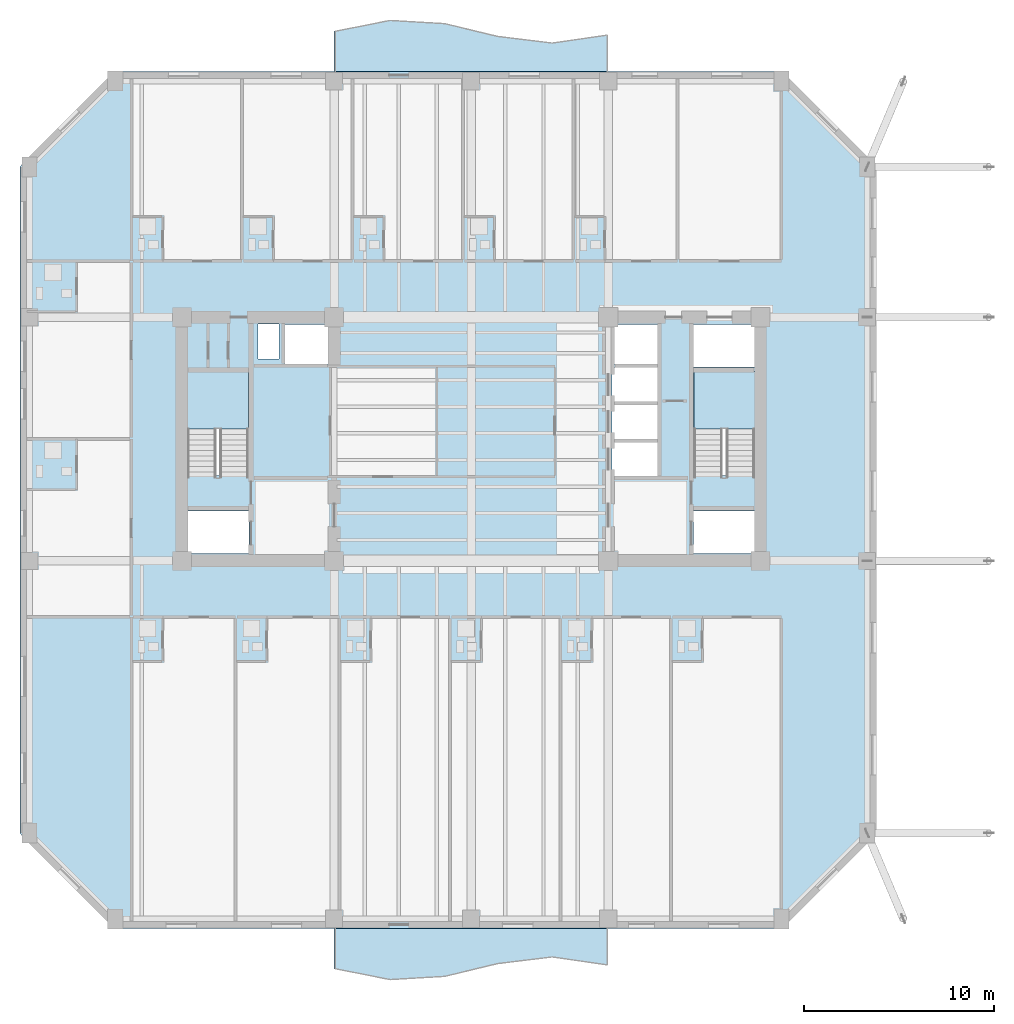
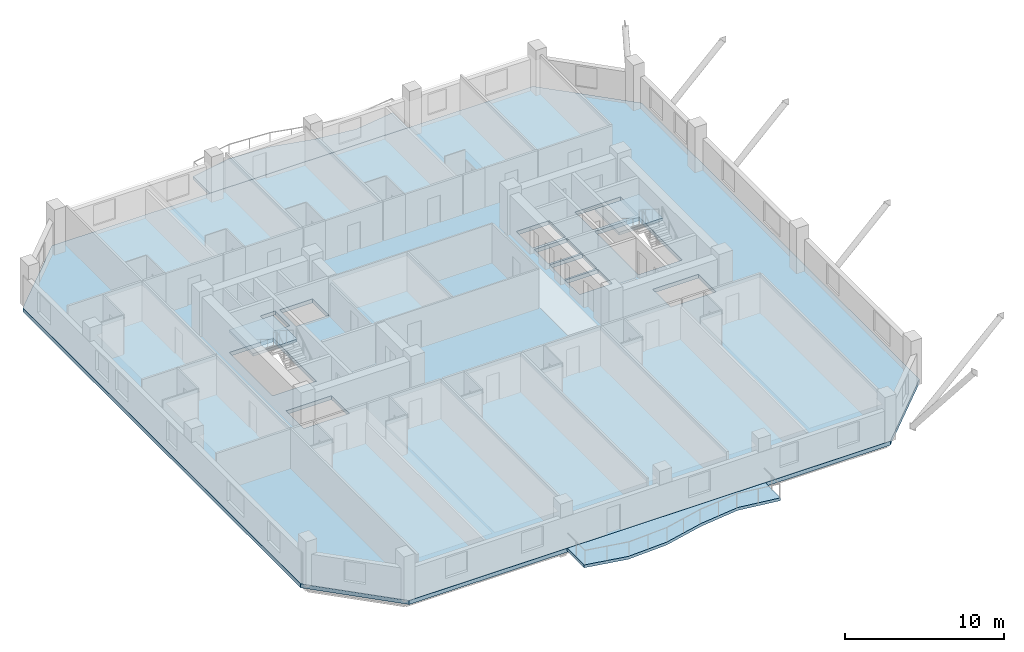
# One storey, part 2 of 14: 5 slabs, 2 elements without a shape of their own.
"""IFC4 building model written with IfcOpenShell, lengths in metres."""

from ifc_helpers import new_model, si_unit, direction, frame, origin, place, context, subcontext, project, spatial, polyline, outline, extrude, material, layer, layer_set, type_object, element, aggregate, save


model = new_model("IFC4")

# Units and contexts
model_context = context("Model", 3, precision=1e-05, world=origin(), true_north=direction((0.0, 1.0)))
body_context = subcontext(model_context, "Body", "Model", "MODEL_VIEW")
ifc_project = project(units=[si_unit("LENGTHUNIT", "METRE"), si_unit("AREAUNIT", "SQUARE_METRE"), si_unit("VOLUMEUNIT", "CUBIC_METRE"), si_unit("PLANEANGLEUNIT", "RADIAN"), si_unit("MASSUNIT", "GRAM", prefix="KILO")], contexts=[model_context])

# Site, building, storey
site_placement = place(None, origin())
site = spatial("IfcSite", under=ifc_project, at=site_placement, CompositionType="ELEMENT")
building_placement = place(site_placement, origin())
building = spatial("IfcBuilding", under=site, at=building_placement, Name="Kranthara Brick Stack", CompositionType="ELEMENT")
storey_placement = place(building_placement, frame((0.0, 0.0, 137.800048828125)))
storey = spatial("IfcBuildingStorey", under=building, at=storey_placement, Name="L34", CompositionType="ELEMENT", Elevation=137.800048828125)

# Slabs
ifc_material_1 = material(Name="Concrete C45/55", Category="concrete")
ifc_layer_1 = layer(ifc_material_1, 0.219970703125)
ifc_layer_set_1 = layer_set([ifc_layer_1], Name="Concrete C45/55")
slab_type_1 = type_object("IfcSlabType", Name="SLB-BALC-220", PredefinedType="FLOOR", material=ifc_layer_set_1)
slab_1_placement = place(storey_placement, frame((0.0, 0.0, -0.219970703125)))
element("IfcSlab", 1, at=slab_1_placement, inside=storey, type_object=slab_type_1, Name="L34 South Rippling Balcony Slab", PredefinedType="FLOOR", context=body_context, shape_type="SweptSolid", body=[
    extrude(outline(polyline([(20.800048828125, 1.5), (35.199951171875, 1.5), (35.199951171875, -0.422119140625), (32.320068359375, -0.000732421875), (29.43994140625, -0.364501953125), (26.56005859375, -1.055908203125), (23.679931640625, -1.205322265625), (20.800048828125, -0.625), (20.800048828125, 1.5)])), origin(), (0.0, 0.0, 1.0), 0.219970703125),
])
slab_2_placement = place(storey_placement, frame((0.0, 0.0, -0.219970703125)))
element("IfcSlab", 2, at=slab_2_placement, inside=storey, type_object=slab_type_1, Name="L34 North Rippling Balcony Slab", PredefinedType="FLOOR", context=body_context, shape_type="SweptSolid", body=[
    extrude(outline(polyline([(35.199951171875, 46.5), (20.800048828125, 46.5), (20.800048828125, 48.625), (23.679931640625, 49.205322265625), (26.56005859375, 49.055908203125), (29.43994140625, 48.364501953125), (32.320068359375, 48.000732421875), (35.199951171875, 48.422119140625), (35.199951171875, 46.5)])), origin(), (0.0, 0.0, 1.0), 0.219970703125),
])

# Stair, slab
ifc_material_2 = material(Name="Concrete C45/55", Category="concrete")
stair_type = type_object("IfcStairType", Name="ST-CORE-20R", PredefinedType="HALF_TURN_STAIR", material=ifc_material_2)
stair_1_placement = place(storey_placement, origin())
stair_1 = element("IfcStair", 3, at=stair_1_placement, inside=storey, type_object=stair_type, Name="L34 West Core Protected Exit Stair ST01", PredefinedType="HALF_TURN_STAIR")
ifc_material_3 = material(Name="Concrete C45/55", Category="concrete")
ifc_layer_2 = layer(ifc_material_3, 0.199951171875)
ifc_layer_set_2 = layer_set([ifc_layer_2], Name="Concrete C45/55")
slab_type_2 = type_object("IfcSlabType", Name="SLB-LANDING-200", PredefinedType="LANDING", material=ifc_layer_set_2)
slab_3_placement = place(storey_placement, frame((0.0, 0.0, 1.550048828125)))
slab_3 = element("IfcSlab", 4, at=slab_3_placement, type_object=slab_type_2, Name="ST01 landing 1", PredefinedType="LANDING", context=body_context, shape_type="SweptSolid", body=[
    extrude(outline(polyline([(16.300048828125, 27.719970703125), (16.300048828125, 30.75), (13.10009765625, 30.75), (13.10009765625, 27.719970703125), (16.300048828125, 27.719970703125)])), origin(), (0.0, 0.0, 1.0), 0.199951171875),
])
aggregate(stair_1, [slab_3])

stair_2_placement = place(storey_placement, origin())
stair_2 = element("IfcStair", 5, at=stair_2_placement, inside=storey, type_object=stair_type, Name="L34 East Core Protected Exit Stair ST02", PredefinedType="HALF_TURN_STAIR")
slab_4_placement = place(storey_placement, frame((0.0, 0.0, 1.550048828125)))
slab_4 = element("IfcSlab", 6, at=slab_4_placement, type_object=slab_type_2, Name="ST02 landing 1", PredefinedType="LANDING", context=body_context, shape_type="SweptSolid", body=[
    extrude(outline(polyline([(42.89990234375, 27.719970703125), (42.89990234375, 30.75), (39.699951171875, 30.75), (39.699951171875, 27.719970703125), (42.89990234375, 27.719970703125)])), origin(), (0.0, 0.0, 1.0), 0.199951171875),
])
aggregate(stair_2, [slab_4])

# Slab
ifc_material_4 = material(Name="Post-tensioned concrete C45/55", Category="concrete")
ifc_layer_3 = layer(ifc_material_4, 0.300048828125)
ifc_layer_set_3 = layer_set([ifc_layer_3], Name="Post-tensioned concrete C45/55")
slab_type_3 = type_object("IfcSlabType", Name="SLB-TWR-300", PredefinedType="FLOOR", material=ifc_layer_set_3)
slab_5_placement = place(storey_placement, frame((0.0, 0.0, -0.300048828125)))
element("IfcSlab", 7, at=slab_5_placement, inside=storey, type_object=slab_type_3, Name="L34 Structural Floor Plate", PredefinedType="FLOOR", context=body_context, shape_type="SweptSolid", body=[
    extrude(outline(polyline([(9.300048828125, 1.5), (44.300048828125, 1.5), (49.300048828125, 6.5), (49.300048828125, 41.5), (44.300048828125, 46.5), (9.300048828125, 46.5), (4.300048828125, 41.5), (4.300048828125, 6.5), (9.300048828125, 1.5)]), holes=[polyline([(13.10009765625, 25.280029296875), (16.300048828125, 25.280029296875), (16.300048828125, 30.75), (13.10009765625, 30.75), (13.10009765625, 25.280029296875)]), polyline([(39.699951171875, 25.280029296875), (42.89990234375, 25.280029296875), (42.89990234375, 30.75), (39.699951171875, 30.75), (39.699951171875, 25.280029296875)]), polyline([(13.0, 21.179931640625), (16.320068359375, 21.179931640625), (16.320068359375, 23.419921875), (13.0, 23.419921875), (13.0, 21.179931640625)]), polyline([(39.679931640625, 21.179931640625), (43.0, 21.179931640625), (43.0, 23.419921875), (39.679931640625, 23.419921875), (39.679931640625, 21.179931640625)]), polyline([(39.679931640625, 30.97998046875), (43.0, 30.97998046875), (43.0, 33.219970703125), (39.679931640625, 33.219970703125), (39.679931640625, 30.97998046875)]), polyline([(35.39990234375, 25.25), (37.800048828125, 25.25), (37.800048828125, 27.050048828125), (35.39990234375, 27.050048828125), (35.39990234375, 25.25)]), polyline([(35.39990234375, 27.199951171875), (37.800048828125, 27.199951171875), (37.800048828125, 29.0), (35.39990234375, 29.0), (35.39990234375, 27.199951171875)]), polyline([(35.39990234375, 29.14990234375), (37.800048828125, 29.14990234375), (37.800048828125, 30.949951171875), (35.39990234375, 30.949951171875), (35.39990234375, 29.14990234375)]), polyline([(18.199951171875, 31.14990234375), (20.60009765625, 31.14990234375), (20.60009765625, 33.219970703125), (18.199951171875, 33.219970703125), (18.199951171875, 31.14990234375)]), polyline([(35.39990234375, 31.14990234375), (37.800048828125, 31.14990234375), (37.800048828125, 33.219970703125), (35.39990234375, 33.219970703125), (35.39990234375, 31.14990234375)]), polyline([(16.800048828125, 31.39990234375), (17.89990234375, 31.39990234375), (17.89990234375, 33.25), (16.800048828125, 33.25), (16.800048828125, 31.39990234375)])]), origin(), (0.0, 0.0, 1.0), 0.300048828125),
])

save(model, "model.ifc")
